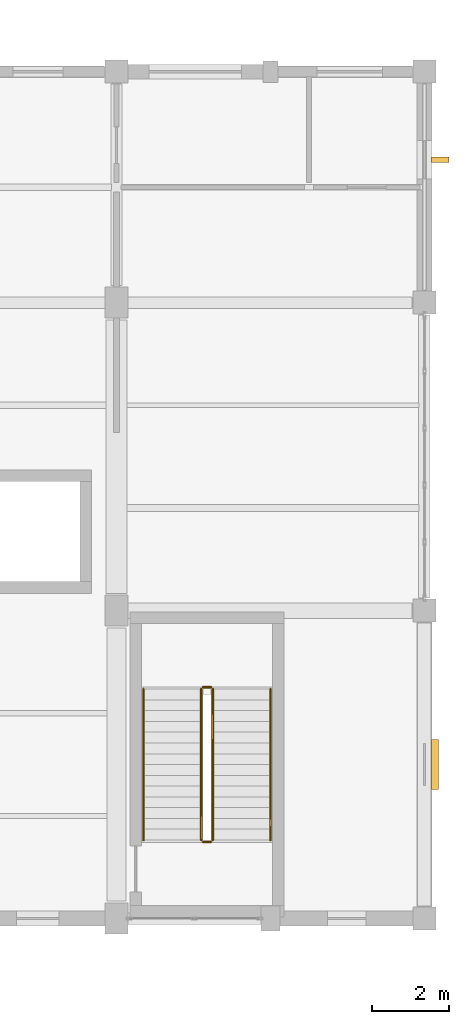
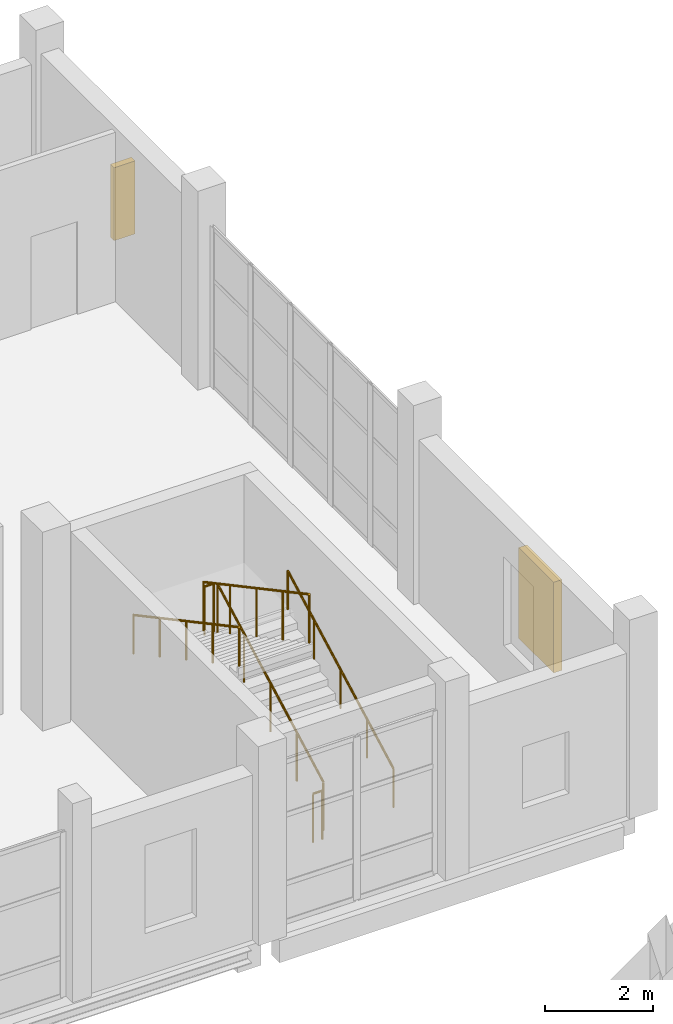
# One storey, part 181 of 183: 6 railings, 2 shading devices.
"""IFC4 building model written with IfcOpenShell, lengths in metres."""

import ifcopenshell
import ifcopenshell.guid

model = None  # the IFC model being written
_history = None  # IfcOwnerHistory: only IFC2X3 demands one
_inside = {}  # id of a spatial element -> (the spatial element, [elements in it])
_under = {}  # id of a project, library or spatial element -> (it, [spatial elements below it])
_declared = {}  # id of a project -> (the project, [libraries it declares])
_typed = {}  # id of a type object -> (the type object, [elements of that type])
_made_of = {}  # id of a material, layer set ... -> (it, [elements and type objects made of it])


def new_model(schema):
    """Start an empty IFC model of exactly this schema.

    Asked for "IFC4X3", IfcOpenShell would pick the latest addendum, in which some entities
    have other attributes; the version numbers below select the first issue.
    IFC2X3 requires an IfcOwnerHistory on every rooted entity: one is made here for all.
    """
    global model, _history
    if schema == "IFC4X3":
        model = ifcopenshell.file(schema_version=(4, 3, 0, 0))
    else:
        model = ifcopenshell.file(schema=schema)
    _inside.clear()
    _under.clear()
    _declared.clear()
    _typed.clear()
    _made_of.clear()
    _history = None
    if model.schema == "IFC2X3":
        org = make("IfcOrganization", Name="unknown")
        user = make(
            "IfcPersonAndOrganization",
            ThePerson=make("IfcPerson", FamilyName="unknown"),
            TheOrganization=org,
        )
        app = make(
            "IfcApplication",
            ApplicationDeveloper=org,
            Version="unknown",
            ApplicationFullName="unknown",
            ApplicationIdentifier="unknown",
        )
        _history = make(
            "IfcOwnerHistory",
            OwningUser=user,
            OwningApplication=app,
            ChangeAction="ADDED",
            CreationDate=0,
        )
    return model


def make(cls, **values):
    """One entity of the class cls with the attributes given. An attribute that is None is left unset."""
    return model.create_entity(
        cls, **{name: value for name, value in values.items() if value is not None}
    )


def rooted(cls, **values):
    """An entity with a GlobalId (a new one), such as an element, a storey or a relation."""
    return make(cls, GlobalId=ifcopenshell.guid.new(), OwnerHistory=_history, **values)


def si_unit(unit_type, name, prefix=None):
    """IfcSIUnit, for example si_unit("LENGTHUNIT", "METRE", prefix="MILLI")."""
    return make("IfcSIUnit", UnitType=unit_type, Prefix=prefix, Name=name)


def assignment(units):
    """IfcUnitAssignment: the units of a project."""
    return None if units is None else make("IfcUnitAssignment", Units=units)


def point(xyz):
    """IfcCartesianPoint."""
    return None if xyz is None else make("IfcCartesianPoint", Coordinates=xyz)


def direction(xyz):
    """IfcDirection."""
    return None if xyz is None else make("IfcDirection", DirectionRatios=xyz)


def frame(location, z_axis=None, x_axis=None):
    """IfcAxis2Placement3D, a coordinate frame: its origin and axes. An axis left out is left unset."""
    return make(
        "IfcAxis2Placement3D",
        Location=point(location),
        Axis=direction(z_axis),
        RefDirection=direction(x_axis),
    )


def frame_2d(location, x_axis=None):
    """IfcAxis2Placement2D, a coordinate frame in the plane: its origin and x axis."""
    return make(
        "IfcAxis2Placement2D", Location=point(location), RefDirection=direction(x_axis)
    )


def origin():
    """The frame at (0, 0, 0) with its axes left unset."""
    return frame((0.0, 0.0, 0.0))


def origin_2d():
    """The frame at (0, 0) in the plane with its x axis left unset."""
    return frame_2d((0.0, 0.0))


def place(relative_to, where):
    """IfcLocalPlacement: puts the frame where relative to a parent placement (None: the world)."""
    return make(
        "IfcLocalPlacement", PlacementRelTo=relative_to, RelativePlacement=where
    )


def context(
    kind, dimensions, precision=None, world=None, true_north=None, identifier=None
):
    """IfcGeometricRepresentationContext, for example the 3D "Model" context."""
    return make(
        "IfcGeometricRepresentationContext",
        ContextIdentifier=identifier,
        ContextType=kind,
        CoordinateSpaceDimension=dimensions,
        Precision=precision,
        WorldCoordinateSystem=world,
        TrueNorth=true_north,
    )


def subcontext(parent, identifier, kind, view, scale=None):
    """IfcGeometricRepresentationSubContext, for example "Body" below "Model"."""
    return make(
        "IfcGeometricRepresentationSubContext",
        ContextIdentifier=identifier,
        ContextType=kind,
        ParentContext=parent,
        TargetScale=scale,
        TargetView=view,
    )


def project(units=None, contexts=None):
    """IfcProject with its units and contexts."""
    return rooted(
        "IfcProject",
        Name="project",
        RepresentationContexts=contexts,
        UnitsInContext=assignment(units),
    )


def spatial(cls, under=None, at=None, **own):
    """A site, building, storey or space (cls), placed at a placement, below another one or the project."""
    s = rooted(cls, ObjectPlacement=at, **own)
    if under is not None:
        _under.setdefault(under.id(), (under, []))[1].append(s)
    return s


def profile(cls, at=None, kind="AREA", **sizes):
    """A parametric profile (cls). Its sizes go by their IFC names, for example OverallWidth=200.0."""
    return make(cls, ProfileType=kind, Position=at, **sizes)


def rectangle(**sizes):
    """IfcRectangleProfileDef."""
    return profile("IfcRectangleProfileDef", **sizes)


def circle(**sizes):
    """IfcCircleProfileDef."""
    return profile("IfcCircleProfileDef", **sizes)


def extrude(swept, where, along, depth):
    """IfcExtrudedAreaSolid: the profile swept, set in the frame where, extruded along a direction by depth."""
    return make(
        "IfcExtrudedAreaSolid",
        SweptArea=swept,
        Position=where,
        ExtrudedDirection=direction(along),
        Depth=depth,
    )


def shape(context_of_items, identifier, shape_type, items):
    """IfcShapeRepresentation: the items that make up one representation, for example the "Body"."""
    return make(
        "IfcShapeRepresentation",
        ContextOfItems=context_of_items,
        RepresentationIdentifier=identifier,
        RepresentationType=shape_type,
        Items=items,
    )


def material(Name=None, Category=None):
    """IfcMaterial."""
    return make("IfcMaterial", Name=Name, Category=Category)


def made_of(thing, what):
    """Note that an element or type object is made of a material, layer set ...; save() writes the relation."""
    if what is not None:
        _made_of.setdefault(what.id(), (what, []))[1].append(thing)
    return thing


def type_object(cls, material=None, **own):
    """A type object (cls), such as IfcWallType, which elements share."""
    return made_of(rooted(cls, **own), material)


def element(
    cls,
    number,
    at=None,
    inside=None,
    cuts=None,
    type_object=None,
    material=None,
    context=None,
    identifier="Body",
    shape_type=None,
    held_by="IfcProductDefinitionShape",
    body=None,
    shapes=None,
    **own,
):
    """One element of the class cls, such as IfcWall. Its Tag is "e" and its number.

    at: its placement. inside: the storey or other place that contains it. cuts: it is an
    opening in that element (IfcRelVoidsElement). A single representation is given by context,
    identifier, shape_type and body (its items); several are given by shapes. held_by: the class
    of the entity that holds the representations. save() writes the other relations.
    """
    e = rooted(cls, Tag="e%d" % number, ObjectPlacement=at, **own)
    if body is not None:
        shapes = [shape(context, identifier, shape_type, body)]
    if shapes is not None:
        e.Representation = make(held_by, Representations=shapes)
    if inside is not None:
        _inside.setdefault(inside.id(), (inside, []))[1].append(e)
    if cuts is not None:
        rooted(
            "IfcRelVoidsElement", RelatingBuildingElement=cuts, RelatedOpeningElement=e
        )
    if type_object is not None:
        _typed.setdefault(type_object.id(), (type_object, []))[1].append(e)
    return made_of(e, material)


def aggregate(whole, parts):
    """IfcRelAggregates: a whole, such as a stair, and the parts it consists of."""
    return rooted("IfcRelAggregates", RelatingObject=whole, RelatedObjects=parts)


def save(model, path):
    """Write the relations noted so far, then the file.

    IfcRelAggregates (storeys below a building ...), IfcRelContainedInSpatialStructure (elements
    in a storey), IfcRelDefinesByType, IfcRelAssociatesMaterial and IfcRelDeclares: one each for
    every whole, place, type object, material and project.
    """
    for whole, parts in _under.values():
        aggregate(whole, parts)
    for where, things in _inside.values():
        rooted(
            "IfcRelContainedInSpatialStructure",
            RelatedElements=things,
            RelatingStructure=where,
        )
    for kind, things in _typed.values():
        rooted("IfcRelDefinesByType", RelatedObjects=things, RelatingType=kind)
    for what, things in _made_of.values():
        rooted("IfcRelAssociatesMaterial", RelatedObjects=things, RelatingMaterial=what)
    for by, libraries in _declared.values():
        rooted("IfcRelDeclares", RelatingContext=by, RelatedDefinitions=libraries)
    model.write(path)


model = new_model("IFC4")

# Units and contexts
model_context = context("Model", 3, precision=1e-05, world=origin(), true_north=direction((0.0, 1.0)))
body_context = subcontext(model_context, "Body", "Model", "MODEL_VIEW")
ifc_project = project(units=[si_unit("LENGTHUNIT", "METRE"), si_unit("AREAUNIT", "SQUARE_METRE"), si_unit("VOLUMEUNIT", "CUBIC_METRE"), si_unit("PLANEANGLEUNIT", "RADIAN"), si_unit("MASSUNIT", "GRAM", prefix="KILO")], contexts=[model_context])

# Site, building, storey
site_placement = place(None, origin())
site = spatial("IfcSite", under=ifc_project, at=site_placement, CompositionType="ELEMENT")
building_placement = place(site_placement, origin())
building = spatial("IfcBuilding", under=site, at=building_placement, Name="Luwemba Playhouse", CompositionType="ELEMENT")
storey_placement = place(building_placement, frame((0.0, 0.0, 4.800048828125)))
storey = spatial("IfcBuildingStorey", under=building, at=storey_placement, Name="L01", CompositionType="ELEMENT", Elevation=4.800048828125)

# Railings
ifc_material_1 = material(Name="Painted wrought-iron gallery balustrade", Category="steel")
railing_type_1 = type_object("IfcRailingType", Name="RLG-BAL-INT", PredefinedType="BALUSTRADE", material=ifc_material_1)
railing_1_placement = place(storey_placement, frame((166.5, 70.0400390625, 0.14990234375)))
element("IfcRailing", 1, at=railing_1_placement, inside=storey, type_object=railing_type_1, Name="L01 ST-07 stair guard 1", PredefinedType="BALUSTRADE", context=body_context, shape_type="SweptSolid", body=[
    extrude(circle(Radius=0.02392578125, at=origin_2d()), frame((0.0, 0.0, 1.09619140625), z_axis=(0.0, 0.881466911329, 0.472245787945), x_axis=(-1.0, 0.0, 0.0)), (0.0, 0.0, 1.0), 4.447021484375),
    extrude(circle(Radius=0.02099609375, at=origin_2d()), origin(), (0.0, 0.0, 1.0), 1.072021484375),
    extrude(circle(Radius=0.02099609375, at=origin_2d()), frame((0.0, 0.97998046875, 0.52490234375)), (0.0, 0.0, 1.0), 1.072021484375),
    extrude(circle(Radius=0.02099609375, at=origin_2d()), frame((0.0, 1.9599609375, 1.050048828125)), (0.0, 0.0, 1.0), 1.072021484375),
    extrude(circle(Radius=0.02099609375, at=origin_2d()), frame((0.0, 2.93994140625, 1.5751953125)), (0.0, 0.0, 1.0), 1.072021484375),
    extrude(circle(Radius=0.02099609375, at=origin_2d()), frame((0.0, 3.919921875, 2.10009765625)), (0.0, 0.0, 1.0), 1.072021484375),
])
railing_2_placement = place(storey_placement, frame((166.449951171875, 74.010009765625, 2.25)))
element("IfcRailing", 2, at=railing_2_placement, inside=storey, type_object=railing_type_1, Name="L01 ST-07 stair guard 2", PredefinedType="BALUSTRADE", context=body_context, shape_type="SweptSolid", body=[
    extrude(circle(Radius=0.02392578125, at=origin_2d()), frame((0.0, 0.0, 1.09619140625), z_axis=(-1.0, 0.0, 0.0), x_axis=(0.0, -1.0, 0.0)), (0.0, 0.0, 1.0), 0.199951171875),
    extrude(circle(Radius=0.02099609375, at=origin_2d()), origin(), (0.0, 0.0, 1.0), 1.072021484375),
    extrude(circle(Radius=0.02099609375, at=origin_2d()), frame((-0.199951171875, 0.0, 0.0)), (0.0, 0.0, 1.0), 1.072021484375),
])
railing_3_placement = place(storey_placement, frame((166.199951171875, 73.9599609375, 2.39990234375)))
element("IfcRailing", 3, at=railing_3_placement, inside=storey, type_object=railing_type_1, Name="L01 ST-07 stair guard 3", PredefinedType="BALUSTRADE", context=body_context, shape_type="SweptSolid", body=[
    extrude(circle(Radius=0.02392578125, at=origin_2d()), frame((0.0, 0.0, 1.09619140625), z_axis=(0.0, -0.881466911329, 0.472245787945), x_axis=(1.0, 0.0, 0.0)), (0.0, 0.0, 1.0), 4.447021484375),
    extrude(circle(Radius=0.02099609375, at=origin_2d()), origin(), (0.0, 0.0, 1.0), 1.072021484375),
    extrude(circle(Radius=0.02099609375, at=origin_2d()), frame((0.0, -0.97998046875, 0.52490234375)), (0.0, 0.0, 1.0), 1.072021484375),
    extrude(circle(Radius=0.02099609375, at=origin_2d()), frame((0.0, -1.9599609375, 1.050048828125)), (0.0, 0.0, 1.0), 1.072021484375),
    extrude(circle(Radius=0.02099609375, at=origin_2d()), frame((0.0, -2.93994140625, 1.5751953125)), (0.0, 0.0, 1.0), 1.072021484375),
    extrude(circle(Radius=0.02099609375, at=origin_2d()), frame((0.0, -3.919921875, 2.10009765625)), (0.0, 0.0, 1.0), 1.072021484375),
])
railing_4_placement = place(storey_placement, frame((166.449951171875, 69.989990234375, 0.0)))
element("IfcRailing", 4, at=railing_4_placement, inside=storey, type_object=railing_type_1, Name="L01 ST-07 stair guard 4", PredefinedType="BALUSTRADE", context=body_context, shape_type="SweptSolid", body=[
    extrude(circle(Radius=0.02392578125, at=origin_2d()), frame((0.0, 0.0, 1.09619140625), z_axis=(-1.0, 0.0, 0.0), x_axis=(0.0, -1.0, 0.0)), (0.0, 0.0, 1.0), 0.199951171875),
    extrude(circle(Radius=0.02099609375, at=origin_2d()), origin(), (0.0, 0.0, 1.0), 1.072021484375),
    extrude(circle(Radius=0.02099609375, at=origin_2d()), frame((-0.199951171875, 0.0, 0.0)), (0.0, 0.0, 1.0), 1.072021484375),
])
ifc_material_2 = material(Name="Hardwood and bronze handrail", Category="wood")
railing_type_2 = type_object("IfcRailingType", Name="RLG-HR-INT", PredefinedType="HANDRAIL", material=ifc_material_2)
railing_5_placement = place(storey_placement, frame((168.0, 70.0400390625, 0.14990234375)))
element("IfcRailing", 5, at=railing_5_placement, inside=storey, type_object=railing_type_2, Name="L01 ST-07 stair handrail 1", PredefinedType="HANDRAIL", context=body_context, shape_type="SweptSolid", body=[
    extrude(circle(Radius=0.02392578125, at=origin_2d()), frame((0.0, 0.0, 0.8759765625), z_axis=(0.0, 0.881466911329, 0.472245787945), x_axis=(-1.0, 0.0, 0.0)), (0.0, 0.0, 1.0), 4.447021484375),
    extrude(circle(Radius=0.02099609375, at=origin_2d()), origin(), (0.0, 0.0, 1.0), 0.851806640625),
    extrude(circle(Radius=0.02099609375, at=origin_2d()), frame((0.0, 0.97998046875, 0.52490234375)), (0.0, 0.0, 1.0), 0.851806640625),
    extrude(circle(Radius=0.02099609375, at=origin_2d()), frame((0.0, 1.9599609375, 1.050048828125)), (0.0, 0.0, 1.0), 0.851806640625),
    extrude(circle(Radius=0.02099609375, at=origin_2d()), frame((0.0, 2.93994140625, 1.5751953125)), (0.0, 0.0, 1.0), 0.851806640625),
    extrude(circle(Radius=0.02099609375, at=origin_2d()), frame((0.0, 3.919921875, 2.10009765625)), (0.0, 0.0, 1.0), 0.851806640625),
])
railing_6_placement = place(storey_placement, frame((164.699951171875, 73.9599609375, 2.39990234375)))
element("IfcRailing", 6, at=railing_6_placement, inside=storey, type_object=railing_type_2, Name="L01 ST-07 stair handrail 2", PredefinedType="HANDRAIL", context=body_context, shape_type="SweptSolid", body=[
    extrude(circle(Radius=0.02392578125, at=origin_2d()), frame((0.0, 0.0, 0.8759765625), z_axis=(0.0, -0.881466911329, 0.472245787945), x_axis=(1.0, 0.0, 0.0)), (0.0, 0.0, 1.0), 4.447021484375),
    extrude(circle(Radius=0.02099609375, at=origin_2d()), origin(), (0.0, 0.0, 1.0), 0.851806640625),
    extrude(circle(Radius=0.02099609375, at=origin_2d()), frame((0.0, -0.97998046875, 0.52490234375)), (0.0, 0.0, 1.0), 0.851806640625),
    extrude(circle(Radius=0.02099609375, at=origin_2d()), frame((0.0, -1.9599609375, 1.050048828125)), (0.0, 0.0, 1.0), 0.851806640625),
    extrude(circle(Radius=0.02099609375, at=origin_2d()), frame((0.0, -2.93994140625, 1.5751953125)), (0.0, 0.0, 1.0), 0.851806640625),
    extrude(circle(Radius=0.02099609375, at=origin_2d()), frame((0.0, -3.919921875, 2.10009765625)), (0.0, 0.0, 1.0), 0.851806640625),
])

# Shading devices
ifc_material_3 = material(Name="Extruded terracotta brise-soleil fin on steel bracket", Category="masonry")
shading_device_type_1 = type_object("IfcShadingDeviceType", Name="SHD-BRISE", PredefinedType="USERDEFINED", material=ifc_material_3)
shading_device_1_placement = place(storey_placement, frame((172.409912109375, 87.7099609375, 0.824951171875), z_axis=(0.0, 0.0, 1.0), x_axis=(0.0, -1.0, 0.0)))
element("IfcShadingDevice", 7, at=shading_device_1_placement, inside=storey, type_object=shading_device_type_1, Name="L01 terracotta brise-soleil fin 029", ObjectType="TERRACOTTA BRISE SOLEIL", PredefinedType="USERDEFINED", context=body_context, shape_type="SweptSolid", body=[
    extrude(rectangle(XDim=0.139892578125, YDim=0.449951171875, at=origin_2d()), origin(), (0.0, 0.0, 1.0), 1.64990234375),
])
ifc_material_4 = material(Name="Kiln-fired terracotta gelosia louvre screen", Category="masonry")
shading_device_type_2 = type_object("IfcShadingDeviceType", Name="SHD-GELOSIA", PredefinedType="JALOUSIE", material=ifc_material_4)
shading_device_2_placement = place(storey_placement, frame((172.27490234375, 72.0, 0.9248046875), z_axis=(0.0, 0.0, 1.0), x_axis=(0.0, -1.0, 0.0)))
element("IfcShadingDevice", 8, at=shading_device_2_placement, inside=storey, type_object=shading_device_type_2, Name="L01 fired-clay gelosia screen 030", PredefinedType="JALOUSIE", context=body_context, shape_type="SweptSolid", body=[
    extrude(rectangle(XDim=1.300048828125, YDim=0.179931640625, at=origin_2d()), origin(), (0.0, 0.0, 1.0), 2.050048828125),
])

save(model, "model.ifc")
